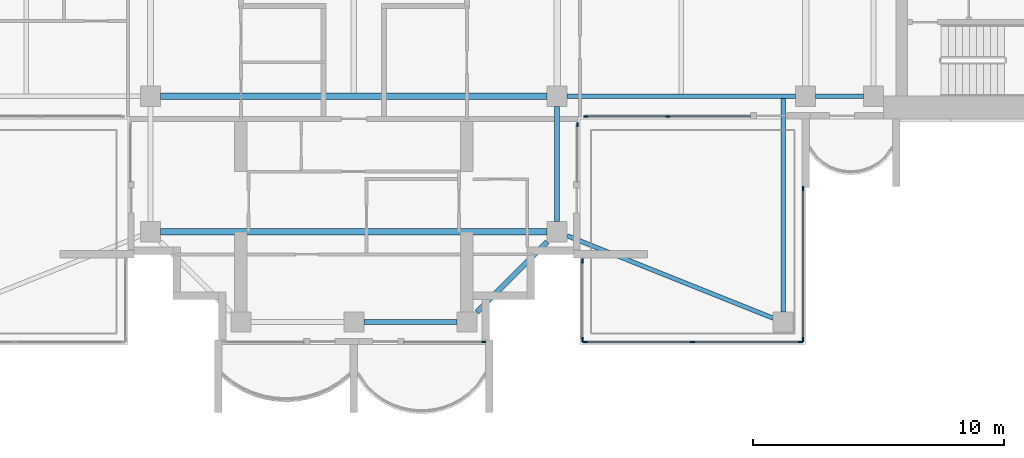
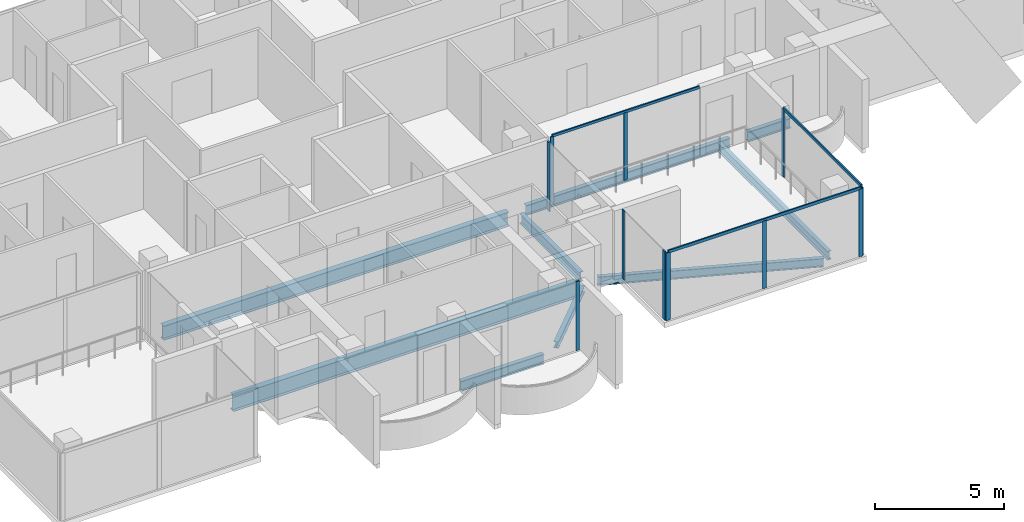
# One storey, part 3 of 16: 14 members, 9 beams, 6 elements without a shape of their own.
"""IFC4 building model written with IfcOpenShell, lengths in metres."""

from ifc_helpers import new_model, si_unit, direction, frame, origin, origin_2d, place, context, subcontext, project, spatial, rectangle, i_section, extrude, material, material_profile, profile_set, type_object, element, aggregate, save


model = new_model("IFC4")

# Units and contexts
model_context = context("Model", 3, precision=1e-05, world=origin(), true_north=direction((0.0, 1.0)))
body_context = subcontext(model_context, "Body", "Model", "MODEL_VIEW")
ifc_project = project(units=[si_unit("LENGTHUNIT", "METRE"), si_unit("AREAUNIT", "SQUARE_METRE"), si_unit("VOLUMEUNIT", "CUBIC_METRE"), si_unit("PLANEANGLEUNIT", "RADIAN"), si_unit("MASSUNIT", "GRAM", prefix="KILO")], contexts=[model_context])

# Site, building, storey
site_placement = place(None, origin())
site = spatial("IfcSite", under=ifc_project, at=site_placement, CompositionType="ELEMENT")
building_placement = place(site_placement, origin())
building = spatial("IfcBuilding", under=site, at=building_placement, Name="Perihelion Cross Residences", CompositionType="ELEMENT")
storey_placement = place(building_placement, frame((0.0, 0.0, 250.0)))
storey = spatial("IfcBuildingStorey", under=building, at=storey_placement, Name="L63", CompositionType="ELEMENT", Elevation=250.0)

# Curtain wall, member
ifc_material_1 = material(Name="Bronze anodised aluminium, tinted glazing", Category="aluminium")
curtain_wall_type_1 = type_object("IfcCurtainWallType", Name="CW1", PredefinedType="NOTDEFINED", material=ifc_material_1)
curtain_wall_1_placement = place(storey_placement, origin())
curtain_wall_1 = element("IfcCurtainWall", 1, at=curtain_wall_1_placement, inside=storey, type_object=curtain_wall_type_1, Name="Curtain wall CW1 L63 south tip south bay 2", PredefinedType="NOTDEFINED")
ifc_material_2 = material(Name="Bronze anodised aluminium", Category="aluminium")
ifc_material_profile_1 = material_profile(ifc_material_2, rectangle(XDim=0.06005859375, YDim=0.159912109375, at=origin_2d()), Name="CW1 mullion")
ifc_profile_set_1 = profile_set([ifc_material_profile_1], Name="Bronze anodised aluminium")
member_type_1 = type_object("IfcMemberType", Name="CW1 mullion", PredefinedType="MULLION", material=ifc_profile_set_1)
member_1_placement = place(storey_placement, frame((5.169921875, -17.89990234375, 0.0), z_axis=(0.0, 0.0, 1.0), x_axis=(0.0, 1.0, 0.0)))
member_1 = element("IfcMember", 2, at=member_1_placement, type_object=member_type_1, Name="CW1 mullion 2", PredefinedType="MULLION", context=body_context, shape_type="SweptSolid", body=[
    extrude(rectangle(XDim=0.06005859375, YDim=0.159912109375, at=origin_2d()), origin(), (0.0, 0.0, 1.0), 3.25),
])
aggregate(curtain_wall_1, [member_1])

curtain_wall_2_placement = place(storey_placement, origin())
curtain_wall_2 = element("IfcCurtainWall", 3, at=curtain_wall_2_placement, inside=storey, type_object=curtain_wall_type_1, Name="Curtain wall CW1 L63 south side east bay 1", PredefinedType="NOTDEFINED")
member_2_placement = place(storey_placement, frame((8.89990234375, -9.22998046875, 0.0), z_axis=(0.0, 0.0, 1.0), x_axis=(-1.0, 0.0, 0.0)))
member_2 = element("IfcMember", 4, at=member_2_placement, type_object=member_type_1, Name="CW1 mullion 2", PredefinedType="MULLION", context=body_context, shape_type="SweptSolid", body=[
    extrude(rectangle(XDim=0.06005859375, YDim=0.159912109375, at=origin_2d()), origin(), (0.0, 0.0, 1.0), 3.25),
])
aggregate(curtain_wall_2, [member_2])

# Curtain wall, members
curtain_wall_3_placement = place(storey_placement, origin())
curtain_wall_3 = element("IfcCurtainWall", 5, at=curtain_wall_3_placement, inside=storey, type_object=curtain_wall_type_1, Name="Curtain wall CW1 L63 east side south bay 1", PredefinedType="NOTDEFINED")
member_3_placement = place(storey_placement, frame((9.22998046875, -8.89990234375, 0.0), z_axis=(0.0, 0.0, 1.0), x_axis=(0.0, 1.0, 0.0)))
member_3 = element("IfcMember", 6, at=member_3_placement, type_object=member_type_1, Name="CW1 mullion 1", PredefinedType="MULLION", context=body_context, shape_type="SweptSolid", body=[
    extrude(rectangle(XDim=0.06005859375, YDim=0.159912109375, at=origin_2d()), origin(), (0.0, 0.0, 1.0), 3.18994140625),
])
member_4_placement = place(storey_placement, frame((12.5, -8.89990234375, 0.0), z_axis=(0.0, 0.0, 1.0), x_axis=(0.0, 1.0, 0.0)))
member_4 = element("IfcMember", 7, at=member_4_placement, type_object=member_type_1, Name="CW1 mullion 2", PredefinedType="MULLION", context=body_context, shape_type="SweptSolid", body=[
    extrude(rectangle(XDim=0.06005859375, YDim=0.159912109375, at=origin_2d()), origin(), (0.0, 0.0, 1.0), 3.18994140625),
])
ifc_material_3 = material(Name="Bronze anodised aluminium", Category="aluminium")
ifc_material_profile_2 = material_profile(ifc_material_3, rectangle(XDim=0.06005859375, YDim=0.1201171875, at=origin_2d()), Name="CW1 transom")
ifc_profile_set_2 = profile_set([ifc_material_profile_2], Name="Bronze anodised aluminium")
member_type_2 = type_object("IfcMemberType", Name="CW1 transom", PredefinedType="USERDEFINED", material=ifc_profile_set_2)
member_5_placement = place(storey_placement, frame((9.22998046875, -8.89990234375, 3.219970703125), z_axis=(1.0, 0.0, 0.0), x_axis=(0.0, 1.0, 0.0)))
member_5 = element("IfcMember", 8, at=member_5_placement, type_object=member_type_2, Name="CW1 head transom", ObjectType="TRANSOM", PredefinedType="USERDEFINED", context=body_context, shape_type="SweptSolid", body=[
    extrude(rectangle(XDim=0.06005859375, YDim=0.1201171875, at=origin_2d()), origin(), (0.0, 0.0, 1.0), 6.570068359375),
])
aggregate(curtain_wall_3, [member_3, member_4, member_5])

ifc_material_4 = material(Name="Bronze anodised aluminium, tinted glazing", Category="aluminium")
curtain_wall_type_2 = type_object("IfcCurtainWallType", Name="CW4", PredefinedType="NOTDEFINED", material=ifc_material_4)
curtain_wall_4_placement = place(storey_placement, origin())
curtain_wall_4 = element("IfcCurtainWall", 9, at=curtain_wall_4_placement, inside=storey, type_object=curtain_wall_type_2, Name="Curtain wall CW4 L63 pocket south-east 1 1", PredefinedType="NOTDEFINED")
ifc_material_5 = material(Name="Bronze anodised aluminium", Category="aluminium")
ifc_material_profile_3 = material_profile(ifc_material_5, rectangle(XDim=0.06005859375, YDim=0.179931640625, at=origin_2d()), Name="CW4 mullion")
ifc_profile_set_3 = profile_set([ifc_material_profile_3], Name="Bronze anodised aluminium")
member_type_3 = type_object("IfcMemberType", Name="CW4 mullion", PredefinedType="MULLION", material=ifc_profile_set_3)
member_6_placement = place(storey_placement, frame((17.89990234375, -11.77001953125, 0.0), z_axis=(0.0, 0.0, 1.0), x_axis=(1.0, 0.0, 0.0)))
member_6 = element("IfcMember", 10, at=member_6_placement, type_object=member_type_3, Name="CW4 mullion 1", PredefinedType="MULLION", context=body_context, shape_type="SweptSolid", body=[
    extrude(rectangle(XDim=0.06005859375, YDim=0.179931640625, at=origin_2d()), origin(), (0.0, 0.0, 1.0), 3.18994140625),
])
member_7_placement = place(storey_placement, frame((17.89990234375, -17.800048828125, 0.0), z_axis=(0.0, 0.0, 1.0), x_axis=(1.0, 0.0, 0.0)))
member_7 = element("IfcMember", 11, at=member_7_placement, type_object=member_type_3, Name="CW4 mullion 2", PredefinedType="MULLION", context=body_context, shape_type="SweptSolid", body=[
    extrude(rectangle(XDim=0.06005859375, YDim=0.179931640625, at=origin_2d()), origin(), (0.0, 0.0, 1.0), 3.18994140625),
])

curtain_wall_5_placement = place(storey_placement, origin())
curtain_wall_5 = element("IfcCurtainWall", 12, at=curtain_wall_5_placement, inside=storey, type_object=curtain_wall_type_2, Name="Curtain wall CW4 L63 pocket south-east 1 2", PredefinedType="NOTDEFINED")
member_8_placement = place(storey_placement, frame((17.800048828125, -17.89990234375, 0.0), z_axis=(0.0, 0.0, 1.0), x_axis=(0.0, -1.0, 0.0)))
member_8 = element("IfcMember", 13, at=member_8_placement, type_object=member_type_3, Name="CW4 mullion 1", PredefinedType="MULLION", context=body_context, shape_type="SweptSolid", body=[
    extrude(rectangle(XDim=0.06005859375, YDim=0.179931640625, at=origin_2d()), origin(), (0.0, 0.0, 1.0), 3.18994140625),
])
member_9_placement = place(storey_placement, frame((13.5, -17.89990234375, 0.0), z_axis=(0.0, 0.0, 1.0), x_axis=(0.0, -1.0, 0.0)))
member_9 = element("IfcMember", 14, at=member_9_placement, type_object=member_type_3, Name="CW4 mullion 2", PredefinedType="MULLION", context=body_context, shape_type="SweptSolid", body=[
    extrude(rectangle(XDim=0.06005859375, YDim=0.179931640625, at=origin_2d()), origin(), (0.0, 0.0, 1.0), 3.18994140625),
])
member_10_placement = place(storey_placement, frame((9.199951171875, -17.89990234375, 0.0), z_axis=(0.0, 0.0, 1.0), x_axis=(0.0, -1.0, 0.0)))
member_10 = element("IfcMember", 15, at=member_10_placement, type_object=member_type_3, Name="CW4 mullion 3", PredefinedType="MULLION", context=body_context, shape_type="SweptSolid", body=[
    extrude(rectangle(XDim=0.06005859375, YDim=0.179931640625, at=origin_2d()), origin(), (0.0, 0.0, 1.0), 3.18994140625),
])

curtain_wall_6_placement = place(storey_placement, origin())
curtain_wall_6 = element("IfcCurtainWall", 16, at=curtain_wall_6_placement, inside=storey, type_object=curtain_wall_type_2, Name="Curtain wall CW4 L63 pocket south-east 1 3", PredefinedType="NOTDEFINED")
member_11_placement = place(storey_placement, frame((9.10009765625, -17.800048828125, 0.0), z_axis=(0.0, 0.0, 1.0), x_axis=(-1.0, 0.0, 0.0)))
member_11 = element("IfcMember", 17, at=member_11_placement, type_object=member_type_3, Name="CW4 mullion 1", PredefinedType="MULLION", context=body_context, shape_type="SweptSolid", body=[
    extrude(rectangle(XDim=0.06005859375, YDim=0.179931640625, at=origin_2d()), origin(), (0.0, 0.0, 1.0), 3.25),
])
member_12_placement = place(storey_placement, frame((9.10009765625, -14.658935546875, 0.0), z_axis=(0.0, 0.0, 1.0), x_axis=(-1.0, 0.0, 0.0)))
member_12 = element("IfcMember", 18, at=member_12_placement, type_object=member_type_3, Name="CW4 mullion 2", PredefinedType="MULLION", context=body_context, shape_type="SweptSolid", body=[
    extrude(rectangle(XDim=0.06005859375, YDim=0.179931640625, at=origin_2d()), origin(), (0.0, 0.0, 1.0), 3.25),
])
aggregate(curtain_wall_6, [member_11, member_12])

# Member
ifc_material_6 = material(Name="Bronze anodised aluminium", Category="aluminium")
ifc_material_profile_4 = material_profile(ifc_material_6, rectangle(XDim=0.06005859375, YDim=0.139892578125, at=origin_2d()), Name="CW4 transom")
ifc_profile_set_4 = profile_set([ifc_material_profile_4], Name="Bronze anodised aluminium")
member_type_4 = type_object("IfcMemberType", Name="CW4 transom", PredefinedType="USERDEFINED", material=ifc_profile_set_4)
member_13_placement = place(storey_placement, frame((17.89990234375, -11.77001953125, 3.219970703125), z_axis=(0.0, -1.0, 0.0), x_axis=(1.0, 0.0, 0.0)))
member_13 = element("IfcMember", 19, at=member_13_placement, type_object=member_type_4, Name="CW4 head transom", ObjectType="TRANSOM", PredefinedType="USERDEFINED", context=body_context, shape_type="SweptSolid", body=[
    extrude(rectangle(XDim=0.06005859375, YDim=0.139892578125, at=origin_2d()), origin(), (0.0, 0.0, 1.0), 6.030029296875),
])

aggregate(curtain_wall_4, [member_6, member_7, member_13])

member_14_placement = place(storey_placement, frame((17.800048828125, -17.89990234375, 3.219970703125), z_axis=(-1.0, 0.0, 0.0), x_axis=(0.0, -1.0, 0.0)))
member_14 = element("IfcMember", 20, at=member_14_placement, type_object=member_type_4, Name="CW4 head transom", ObjectType="TRANSOM", PredefinedType="USERDEFINED", context=body_context, shape_type="SweptSolid", body=[
    extrude(rectangle(XDim=0.06005859375, YDim=0.139892578125, at=origin_2d()), origin(), (0.0, 0.0, 1.0), 8.60009765625),
])

aggregate(curtain_wall_5, [member_8, member_9, member_10, member_14])

# Beams
ifc_material_7 = material(Name="Steel S355", Category="steel")
ifc_material_profile_5 = material_profile(ifc_material_7, i_section(OverallWidth=0.177978515625, OverallDepth=0.406005859375, WebThickness=0.0078125, FlangeThickness=0.0126953125, at=origin_2d()), Name="W410x60")
ifc_profile_set_5 = profile_set([ifc_material_profile_5], Name="Steel S355")
beam_type_1 = type_object("IfcBeamType", Name="Core edge beam W410x60", PredefinedType="BEAM", material=ifc_profile_set_5)
beam_1_placement = place(storey_placement, frame((17.10009765625, -8.197021484375, -0.452880859375), z_axis=(0.0, -1.0, 0.0), x_axis=(1.0, 0.0, 0.0)))
element("IfcBeam", 21, at=beam_1_placement, inside=storey, type_object=beam_type_1, Name="Core edge beam TB2 L63 corner no. 3", PredefinedType="BEAM", context=body_context, shape_type="SweptSolid", body=[
    extrude(i_section(OverallWidth=0.177978515625, OverallDepth=0.406005859375, WebThickness=0.0078125, FlangeThickness=0.0126953125, at=origin_2d()), origin(), (0.0, 0.0, 1.0), 8.5029296875),
])
beam_2_placement = place(storey_placement, frame((8.5, -13.659912109375, -0.452880859375), z_axis=(0.928474784399, -0.371395442534, 0.0), x_axis=(0.371395442534, 0.928474784399, 0.0)))
element("IfcBeam", 22, at=beam_2_placement, inside=storey, type_object=beam_type_1, Name="Core edge beam TB2 L63 corner no. 4", PredefinedType="BEAM", context=body_context, shape_type="SweptSolid", body=[
    extrude(i_section(OverallWidth=0.177978515625, OverallDepth=0.406005859375, WebThickness=0.0078125, FlangeThickness=0.0126953125, at=origin_2d()), origin(), (0.0, 0.0, 1.0), 8.83154296875),
])
ifc_material_8 = material(Name="Steel S355", Category="steel")
ifc_material_profile_6 = material_profile(ifc_material_8, i_section(OverallWidth=0.194091796875, OverallDepth=0.469970703125, WebThickness=0.0126953125, FlangeThickness=0.0205078125, at=origin_2d()), Name="W460x106")
ifc_profile_set_6 = profile_set([ifc_material_profile_6], Name="Steel S355")
beam_type_2 = type_object("IfcBeamType", Name="Edge beam W460x106", PredefinedType="SPANDREL", material=ifc_profile_set_6)
beam_3_placement = place(storey_placement, frame((0.39990234375, -17.10009765625, -0.485107421875), z_axis=(1.0, 0.0, 0.0), x_axis=(0.0, 1.0, 0.0)))
element("IfcBeam", 23, at=beam_3_placement, inside=storey, type_object=beam_type_2, Name="Edge beam SB5 L63 no. 7", PredefinedType="SPANDREL", context=body_context, shape_type="SweptSolid", body=[
    extrude(i_section(OverallWidth=0.194091796875, OverallDepth=0.469970703125, WebThickness=0.0126953125, FlangeThickness=0.0205078125, at=origin_2d()), origin(), (0.0, 0.0, 1.0), 3.7001953125),
])
beam_4_placement = place(storey_placement, frame((8.10009765625, -13.10009765625, -0.485107421875), z_axis=(0.0, 1.0, 0.0), x_axis=(-1.0, 0.0, 0.0)))
element("IfcBeam", 24, at=beam_4_placement, inside=storey, type_object=beam_type_2, Name="Edge beam SB5 L63 no. 11", PredefinedType="SPANDREL", context=body_context, shape_type="SweptSolid", body=[
    extrude(i_section(OverallWidth=0.194091796875, OverallDepth=0.469970703125, WebThickness=0.0126953125, FlangeThickness=0.0205078125, at=origin_2d()), origin(), (0.0, 0.0, 1.0), 4.60009765625),
])
beam_5_placement = place(storey_placement, frame((8.5, -8.10009765625, -0.485107421875), z_axis=(1.0, 0.0, 0.0), x_axis=(0.0, 1.0, 0.0)))
element("IfcBeam", 25, at=beam_5_placement, inside=storey, type_object=beam_type_2, Name="Edge beam SB5 L63 no. 12", PredefinedType="SPANDREL", context=body_context, shape_type="SweptSolid", body=[
    extrude(i_section(OverallWidth=0.194091796875, OverallDepth=0.469970703125, WebThickness=0.0126953125, FlangeThickness=0.0205078125, at=origin_2d()), origin(), (0.0, 0.0, 1.0), 9.10009765625),
])
beam_6_placement = place(storey_placement, frame((18.39990234375, -8.10009765625, -0.485107421875), z_axis=(1.0, 0.0, 0.0), x_axis=(0.0, 1.0, 0.0)))
element("IfcBeam", 26, at=beam_6_placement, inside=storey, type_object=beam_type_2, Name="Edge beam SB5 L63 no. 8", PredefinedType="SPANDREL", context=body_context, shape_type="SweptSolid", body=[
    extrude(i_section(OverallWidth=0.194091796875, OverallDepth=0.469970703125, WebThickness=0.0126953125, FlangeThickness=0.0205078125, at=origin_2d()), origin(), (0.0, 0.0, 1.0), 1.900146484375),
])
ifc_material_9 = material(Name="Steel S355", Category="steel")
ifc_material_profile_7 = material_profile(ifc_material_9, i_section(OverallWidth=0.26708984375, OverallDepth=0.75390625, WebThickness=0.01318359375, FlangeThickness=0.01708984375, at=origin_2d()), Name="W760x147")
ifc_profile_set_7 = profile_set([ifc_material_profile_7], Name="Steel S355")
beam_type_3 = type_object("IfcBeamType", Name="Floor girder W760x147", PredefinedType="BEAM", material=ifc_profile_set_7)
beam_7_placement = place(storey_placement, frame((-7.699951171875, -13.5, -0.626953125), z_axis=(1.0, 0.0, 0.0), x_axis=(0.0, 1.0, 0.0)))
element("IfcBeam", 27, at=beam_7_placement, inside=storey, type_object=beam_type_3, Name="Girder G5 L63 no. 3", PredefinedType="BEAM", context=body_context, shape_type="SweptSolid", body=[
    extrude(i_section(OverallWidth=0.26708984375, OverallDepth=0.75390625, WebThickness=0.01318359375, FlangeThickness=0.01708984375, at=origin_2d()), origin(), (0.0, 0.0, 1.0), 15.39990234375),
])
ifc_material_10 = material(Name="Steel S355", Category="steel")
ifc_material_profile_8 = material_profile(ifc_material_10, i_section(OverallWidth=0.25390625, OverallDepth=0.677978515625, WebThickness=0.01171875, FlangeThickness=0.016357421875, at=origin_2d()), Name="W690x125")
ifc_profile_set_8 = profile_set([ifc_material_profile_8], Name="Steel S355")
beam_type_4 = type_object("IfcBeamType", Name="Hub ring girder W690x125", PredefinedType="BEAM", material=ifc_profile_set_8)
beam_8_placement = place(storey_placement, frame((-7.699951171875, -8.10009765625, -0.589111328125), z_axis=(1.0, 0.0, 0.0), x_axis=(0.0, 1.0, 0.0)))
element("IfcBeam", 28, at=beam_8_placement, inside=storey, type_object=beam_type_4, Name="Hub ring girder RG5 L63 no. 1", PredefinedType="BEAM", context=body_context, shape_type="SweptSolid", body=[
    extrude(i_section(OverallWidth=0.25390625, OverallDepth=0.677978515625, WebThickness=0.01171875, FlangeThickness=0.016357421875, at=origin_2d()), origin(), (0.0, 0.0, 1.0), 15.39990234375),
])
ifc_material_11 = material(Name="Steel S355", Category="steel")
ifc_material_profile_9 = material_profile(ifc_material_11, i_section(OverallWidth=0.202880859375, OverallDepth=0.302001953125, WebThickness=0.007568359375, FlangeThickness=0.01318359375, at=origin_2d()), Name="W310x60")
ifc_profile_set_9 = profile_set([ifc_material_profile_9], Name="Steel S355")
beam_type_5 = type_object("IfcBeamType", Name="Serration edge beam W310x60", PredefinedType="BEAM", material=ifc_profile_set_9)
beam_9_placement = place(storey_placement, frame((4.89990234375, -16.699951171875, -0.40087890625), z_axis=(0.707106781187, 0.707106781187, 0.0), x_axis=(-0.707106781187, 0.707106781187, 0.0)))
element("IfcBeam", 29, at=beam_9_placement, inside=storey, type_object=beam_type_5, Name="Serration edge beam EB5 L63 no. 2", PredefinedType="BEAM", context=body_context, shape_type="SweptSolid", body=[
    extrude(i_section(OverallWidth=0.202880859375, OverallDepth=0.302001953125, WebThickness=0.007568359375, FlangeThickness=0.01318359375, at=origin_2d()), origin(), (0.0, 0.0, 1.0), 3.9599609375),
])

save(model, "model.ifc")
